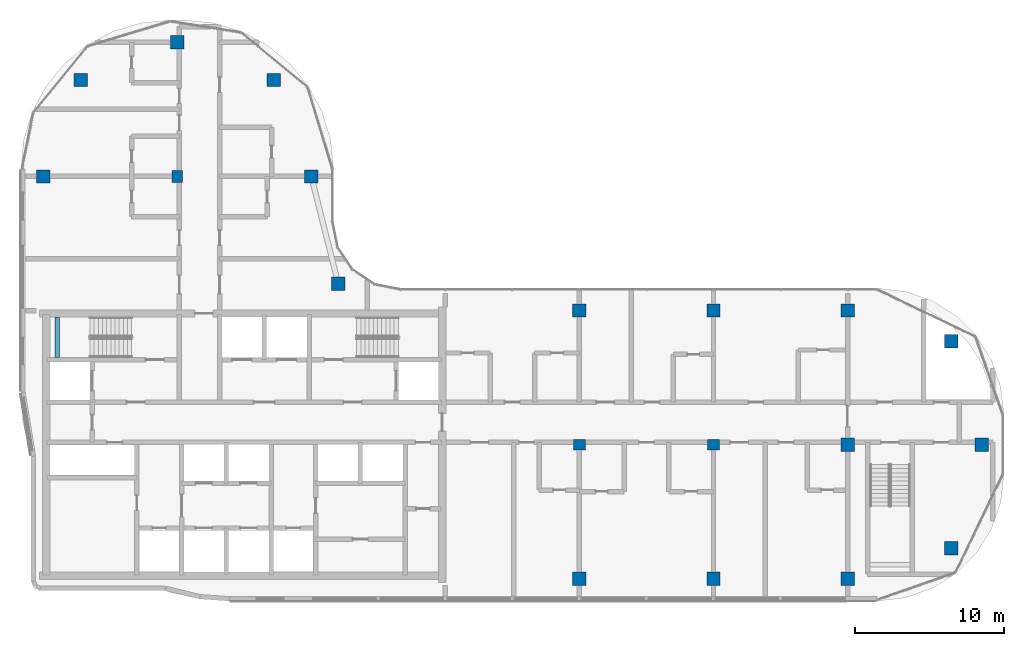
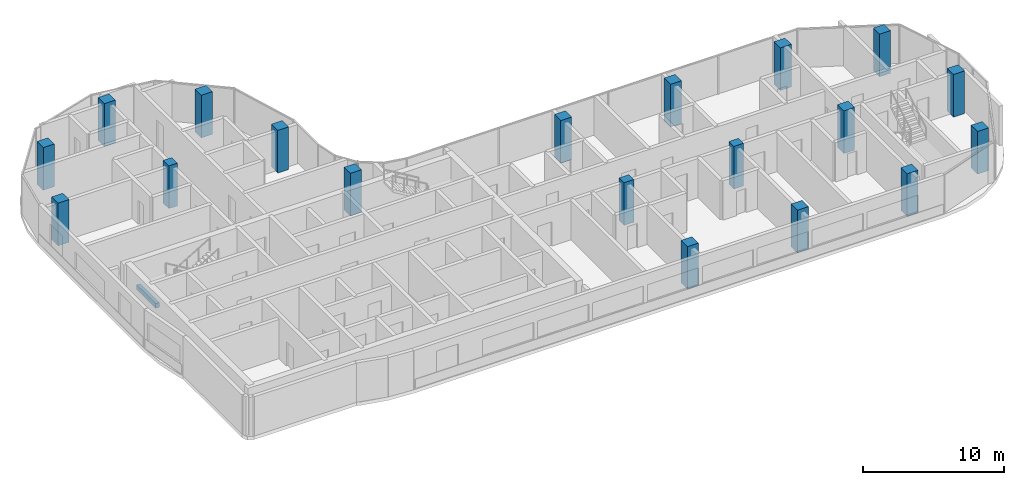
# One storey, part 1 of 19: 19 columns, 1 beam.
"""IFC4 building model written with IfcOpenShell, lengths in metres."""

import ifcopenshell
import ifcopenshell.guid

model = None  # the IFC model being written
_history = None  # IfcOwnerHistory: only IFC2X3 demands one
_inside = {}  # id of a spatial element -> (the spatial element, [elements in it])
_under = {}  # id of a project, library or spatial element -> (it, [spatial elements below it])
_declared = {}  # id of a project -> (the project, [libraries it declares])
_typed = {}  # id of a type object -> (the type object, [elements of that type])
_made_of = {}  # id of a material, layer set ... -> (it, [elements and type objects made of it])


def new_model(schema):
    """Start an empty IFC model of exactly this schema.

    Asked for "IFC4X3", IfcOpenShell would pick the latest addendum, in which some entities
    have other attributes; the version numbers below select the first issue.
    IFC2X3 requires an IfcOwnerHistory on every rooted entity: one is made here for all.
    """
    global model, _history
    if schema == "IFC4X3":
        model = ifcopenshell.file(schema_version=(4, 3, 0, 0))
    else:
        model = ifcopenshell.file(schema=schema)
    _inside.clear()
    _under.clear()
    _declared.clear()
    _typed.clear()
    _made_of.clear()
    _history = None
    if model.schema == "IFC2X3":
        org = make("IfcOrganization", Name="unknown")
        user = make(
            "IfcPersonAndOrganization",
            ThePerson=make("IfcPerson", FamilyName="unknown"),
            TheOrganization=org,
        )
        app = make(
            "IfcApplication",
            ApplicationDeveloper=org,
            Version="unknown",
            ApplicationFullName="unknown",
            ApplicationIdentifier="unknown",
        )
        _history = make(
            "IfcOwnerHistory",
            OwningUser=user,
            OwningApplication=app,
            ChangeAction="ADDED",
            CreationDate=0,
        )
    return model


def make(cls, **values):
    """One entity of the class cls with the attributes given. An attribute that is None is left unset."""
    return model.create_entity(
        cls, **{name: value for name, value in values.items() if value is not None}
    )


def rooted(cls, **values):
    """An entity with a GlobalId (a new one), such as an element, a storey or a relation."""
    return make(cls, GlobalId=ifcopenshell.guid.new(), OwnerHistory=_history, **values)


def si_unit(unit_type, name, prefix=None):
    """IfcSIUnit, for example si_unit("LENGTHUNIT", "METRE", prefix="MILLI")."""
    return make("IfcSIUnit", UnitType=unit_type, Prefix=prefix, Name=name)


def assignment(units):
    """IfcUnitAssignment: the units of a project."""
    return None if units is None else make("IfcUnitAssignment", Units=units)


def point(xyz):
    """IfcCartesianPoint."""
    return None if xyz is None else make("IfcCartesianPoint", Coordinates=xyz)


def direction(xyz):
    """IfcDirection."""
    return None if xyz is None else make("IfcDirection", DirectionRatios=xyz)


def frame(location, z_axis=None, x_axis=None):
    """IfcAxis2Placement3D, a coordinate frame: its origin and axes. An axis left out is left unset."""
    return make(
        "IfcAxis2Placement3D",
        Location=point(location),
        Axis=direction(z_axis),
        RefDirection=direction(x_axis),
    )


def frame_2d(location, x_axis=None):
    """IfcAxis2Placement2D, a coordinate frame in the plane: its origin and x axis."""
    return make(
        "IfcAxis2Placement2D", Location=point(location), RefDirection=direction(x_axis)
    )


def origin():
    """The frame at (0, 0, 0) with its axes left unset."""
    return frame((0.0, 0.0, 0.0))


def origin_2d():
    """The frame at (0, 0) in the plane with its x axis left unset."""
    return frame_2d((0.0, 0.0))


def place(relative_to, where):
    """IfcLocalPlacement: puts the frame where relative to a parent placement (None: the world)."""
    return make(
        "IfcLocalPlacement", PlacementRelTo=relative_to, RelativePlacement=where
    )


def context(
    kind, dimensions, precision=None, world=None, true_north=None, identifier=None
):
    """IfcGeometricRepresentationContext, for example the 3D "Model" context."""
    return make(
        "IfcGeometricRepresentationContext",
        ContextIdentifier=identifier,
        ContextType=kind,
        CoordinateSpaceDimension=dimensions,
        Precision=precision,
        WorldCoordinateSystem=world,
        TrueNorth=true_north,
    )


def subcontext(parent, identifier, kind, view, scale=None):
    """IfcGeometricRepresentationSubContext, for example "Body" below "Model"."""
    return make(
        "IfcGeometricRepresentationSubContext",
        ContextIdentifier=identifier,
        ContextType=kind,
        ParentContext=parent,
        TargetScale=scale,
        TargetView=view,
    )


def project(units=None, contexts=None):
    """IfcProject with its units and contexts."""
    return rooted(
        "IfcProject",
        Name="project",
        RepresentationContexts=contexts,
        UnitsInContext=assignment(units),
    )


def spatial(cls, under=None, at=None, **own):
    """A site, building, storey or space (cls), placed at a placement, below another one or the project."""
    s = rooted(cls, ObjectPlacement=at, **own)
    if under is not None:
        _under.setdefault(under.id(), (under, []))[1].append(s)
    return s


def profile(cls, at=None, kind="AREA", **sizes):
    """A parametric profile (cls). Its sizes go by their IFC names, for example OverallWidth=200.0."""
    return make(cls, ProfileType=kind, Position=at, **sizes)


def rectangle(**sizes):
    """IfcRectangleProfileDef."""
    return profile("IfcRectangleProfileDef", **sizes)


def extrude(swept, where, along, depth):
    """IfcExtrudedAreaSolid: the profile swept, set in the frame where, extruded along a direction by depth."""
    return make(
        "IfcExtrudedAreaSolid",
        SweptArea=swept,
        Position=where,
        ExtrudedDirection=direction(along),
        Depth=depth,
    )


def shape(context_of_items, identifier, shape_type, items):
    """IfcShapeRepresentation: the items that make up one representation, for example the "Body"."""
    return make(
        "IfcShapeRepresentation",
        ContextOfItems=context_of_items,
        RepresentationIdentifier=identifier,
        RepresentationType=shape_type,
        Items=items,
    )


def material(Name=None, Category=None):
    """IfcMaterial."""
    return make("IfcMaterial", Name=Name, Category=Category)


def material_profile(
    of_material, cross_section, Name=None, Category=None, Priority=None
):
    """IfcMaterialProfile: a cross section and its material."""
    return make(
        "IfcMaterialProfile",
        Name=Name,
        Material=of_material,
        Profile=cross_section,
        Priority=Priority,
        Category=Category,
    )


def profile_set(profiles, Name=None, composite=None):
    """IfcMaterialProfileSet."""
    return make(
        "IfcMaterialProfileSet",
        Name=Name,
        MaterialProfiles=profiles,
        CompositeProfile=composite,
    )


def made_of(thing, what):
    """Note that an element or type object is made of a material, layer set ...; save() writes the relation."""
    if what is not None:
        _made_of.setdefault(what.id(), (what, []))[1].append(thing)
    return thing


def type_object(cls, material=None, **own):
    """A type object (cls), such as IfcWallType, which elements share."""
    return made_of(rooted(cls, **own), material)


def element(
    cls,
    number,
    at=None,
    inside=None,
    cuts=None,
    type_object=None,
    material=None,
    context=None,
    identifier="Body",
    shape_type=None,
    held_by="IfcProductDefinitionShape",
    body=None,
    shapes=None,
    **own,
):
    """One element of the class cls, such as IfcWall. Its Tag is "e" and its number.

    at: its placement. inside: the storey or other place that contains it. cuts: it is an
    opening in that element (IfcRelVoidsElement). A single representation is given by context,
    identifier, shape_type and body (its items); several are given by shapes. held_by: the class
    of the entity that holds the representations. save() writes the other relations.
    """
    e = rooted(cls, Tag="e%d" % number, ObjectPlacement=at, **own)
    if body is not None:
        shapes = [shape(context, identifier, shape_type, body)]
    if shapes is not None:
        e.Representation = make(held_by, Representations=shapes)
    if inside is not None:
        _inside.setdefault(inside.id(), (inside, []))[1].append(e)
    if cuts is not None:
        rooted(
            "IfcRelVoidsElement", RelatingBuildingElement=cuts, RelatedOpeningElement=e
        )
    if type_object is not None:
        _typed.setdefault(type_object.id(), (type_object, []))[1].append(e)
    return made_of(e, material)


def aggregate(whole, parts):
    """IfcRelAggregates: a whole, such as a stair, and the parts it consists of."""
    return rooted("IfcRelAggregates", RelatingObject=whole, RelatedObjects=parts)


def save(model, path):
    """Write the relations noted so far, then the file.

    IfcRelAggregates (storeys below a building ...), IfcRelContainedInSpatialStructure (elements
    in a storey), IfcRelDefinesByType, IfcRelAssociatesMaterial and IfcRelDeclares: one each for
    every whole, place, type object, material and project.
    """
    for whole, parts in _under.values():
        aggregate(whole, parts)
    for where, things in _inside.values():
        rooted(
            "IfcRelContainedInSpatialStructure",
            RelatedElements=things,
            RelatingStructure=where,
        )
    for kind, things in _typed.values():
        rooted("IfcRelDefinesByType", RelatedObjects=things, RelatingType=kind)
    for what, things in _made_of.values():
        rooted("IfcRelAssociatesMaterial", RelatedObjects=things, RelatingMaterial=what)
    for by, libraries in _declared.values():
        rooted("IfcRelDeclares", RelatingContext=by, RelatedDefinitions=libraries)
    model.write(path)


model = new_model("IFC4")

# Units and contexts
model_context = context("Model", 3, precision=1e-05, world=origin(), true_north=direction((0.0, 1.0)))
body_context = subcontext(model_context, "Body", "Model", "MODEL_VIEW")
ifc_project = project(units=[si_unit("LENGTHUNIT", "METRE"), si_unit("AREAUNIT", "SQUARE_METRE"), si_unit("VOLUMEUNIT", "CUBIC_METRE"), si_unit("PLANEANGLEUNIT", "RADIAN"), si_unit("MASSUNIT", "GRAM", prefix="KILO")], contexts=[model_context])

# Site, building, storey
site_placement = place(None, origin())
site = spatial("IfcSite", under=ifc_project, at=site_placement, CompositionType="ELEMENT")
building_placement = place(site_placement, origin())
building = spatial("IfcBuilding", under=site, at=building_placement, Name="Ogive Portal Towers", CompositionType="ELEMENT")
storey_placement = place(building_placement, frame((0.0, 0.0, 229.10009765625)))
storey = spatial("IfcBuildingStorey", under=building, at=storey_placement, Name="L57", CompositionType="ELEMENT", Elevation=229.10009765625)

# Columns
ifc_material_1 = material(Name="Concrete C60/75", Category="concrete")
ifc_material_profile_1 = material_profile(ifc_material_1, rectangle(XDim=0.800048828125, YDim=0.699951171875, at=origin_2d()), Name="RC 800x700")
ifc_profile_set_1 = profile_set([ifc_material_profile_1], Name="Concrete C60/75")
column_type_1 = type_object("IfcColumnType", Name="COLUMN RC 800x700", PredefinedType="COLUMN", material=ifc_profile_set_1)
for number, where, z_axis, x_axis, name in (
    (1, (67.5, 30.5, 0.0), (0.0, 0.0, 1.0), (1.0, 0.0, 0.0), "Column 5/B L57"),
    (2, (76.5, 30.5, 0.0), (0.0, 0.0, 1.0), (1.0, 0.0, 0.0), "Column 6/B L57"),
    (3, (40.5, 48.5, 0.0), (0.0, 0.0, 1.0), (0.0, 1.0, 0.0), "Column 2/D L57"),
):
    element("IfcColumn", number, at=place(storey_placement, frame(where, z_axis=z_axis, x_axis=x_axis)), inside=storey, type_object=column_type_1, Name=name, PredefinedType="COLUMN", context=body_context, shape_type="SweptSolid", body=[
        extrude(rectangle(XDim=0.800048828125, YDim=0.699951171875, at=origin_2d()), origin(), (0.0, 0.0, 1.0), 3.699951171875),
    ])
ifc_material_profile_2 = material_profile(ifc_material_1, rectangle(XDim=0.89990234375, YDim=0.89990234375, at=origin_2d()), Name="RC 900x900")
ifc_profile_set_2 = profile_set([ifc_material_profile_2], Name="Concrete C60/75")
column_type_2 = type_object("IfcColumnType", Name="COLUMN RC 900x900", PredefinedType="COLUMN", material=ifc_profile_set_2)
for number, where, z_axis, x_axis, name in (
    (4, (67.5, 21.5, 0.0), (0.0, 0.0, 1.0), (1.0, 0.0, 0.0), "Column 5/A L57"),
    (5, (76.5, 21.5, 0.0), (0.0, 0.0, 1.0), (1.0, 0.0, 0.0), "Column 6/A L57"),
    (6, (85.5, 21.5, 0.0), (0.0, 0.0, 1.0), (1.0, 0.0, 0.0), "Column 7/A L57"),
    (7, (92.449951171875, 23.550048828125, 0.0), (0.0, 0.0, 1.0), (1.0, 0.0, 0.0), "Column L57"),
    (8, (85.5, 30.5, 0.0), (0.0, 0.0, 1.0), (1.0, 0.0, 0.0), "Column 7/B L57"),
    (9, (94.5, 30.5, 0.0), (0.0, 0.0, 1.0), (1.0, 0.0, 0.0), "Column 8/B L57"),
    (10, (92.449951171875, 37.449951171875, 0.0), (0.0, 0.0, 1.0), (1.0, 0.0, 0.0), "Column L57"),
    (11, (67.5, 39.5, 0.0), (0.0, 0.0, 1.0), (1.0, 0.0, 0.0), "Column 5/C L57"),
    (12, (76.5, 39.5, 0.0), (0.0, 0.0, 1.0), (1.0, 0.0, 0.0), "Column 6/C L57"),
    (13, (85.5, 39.5, 0.0), (0.0, 0.0, 1.0), (1.0, 0.0, 0.0), "Column 7/C L57"),
    (14, (51.31005859375, 41.31005859375, 0.0), (0.0, 0.0, 1.0), (1.0, 0.0, 0.0), "Column L57"),
    (15, (31.5, 48.5, 0.0), (0.0, 0.0, 1.0), (1.0, 0.0, 0.0), "Column 1/D L57"),
    (16, (49.5, 48.5, 0.0), (0.0, 0.0, 1.0), (1.0, 0.0, 0.0), "Column 3/D L57"),
    (17, (34.027099609375, 54.972900390625, 0.0), (0.0, 0.0, 1.0), (1.0, 0.0, 0.0), "Column L57"),
    (18, (46.972900390625, 54.972900390625, 0.0), (0.0, 0.0, 1.0), (1.0, 0.0, 0.0), "Column L57"),
    (19, (40.5, 57.5, 0.0), (0.0, 0.0, 1.0), (1.0, 0.0, 0.0), "Column 2/E L57"),
):
    element("IfcColumn", number, at=place(storey_placement, frame(where, z_axis=z_axis, x_axis=x_axis)), inside=storey, type_object=column_type_2, Name=name, PredefinedType="COLUMN", context=body_context, shape_type="SweptSolid", body=[
        extrude(rectangle(XDim=0.89990234375, YDim=0.89990234375, at=origin_2d()), origin(), (0.0, 0.0, 1.0), 3.699951171875),
    ])

# Beam
ifc_material_2 = material(Name="Concrete C40/50", Category="concrete")
ifc_material_profile_3 = material_profile(ifc_material_2, rectangle(XDim=0.300048828125, YDim=0.39990234375, at=origin_2d()), Name="RC 300x400")
ifc_profile_set_3 = profile_set([ifc_material_profile_3], Name="Concrete C40/50")
beam_type = type_object("IfcBeamType", Name="BEAM RC 300x400", PredefinedType="BEAM", material=ifc_profile_set_3)
beam_placement = place(storey_placement, frame((32.449951171875, 36.35009765625, 1.449951171875), z_axis=(0.0, 1.0, 0.0), x_axis=(-1.0, 0.0, 0.0)))
element("IfcBeam", 20, at=beam_placement, inside=storey, type_object=beam_type, Name="Landing beam L57", PredefinedType="BEAM", context=body_context, shape_type="SweptSolid", body=[
    extrude(rectangle(XDim=0.300048828125, YDim=0.39990234375, at=origin_2d()), origin(), (0.0, 0.0, 1.0), 2.699951171875),
])

save(model, "model.ifc")
